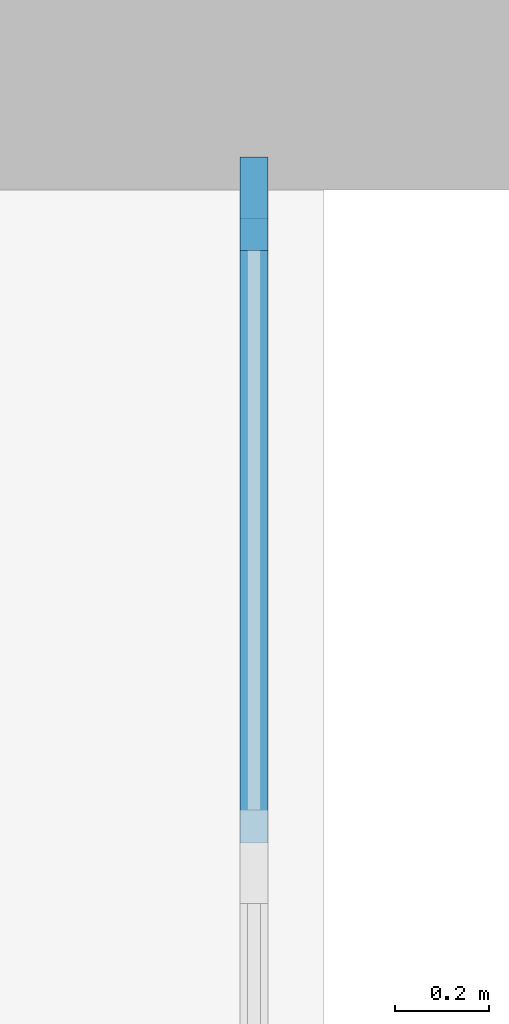
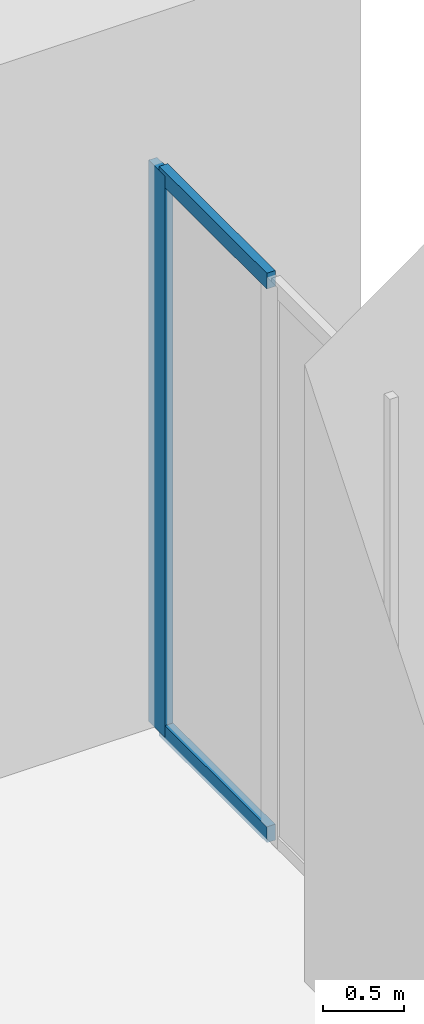
# One storey, part 8 of 43: 3 members, 1 element without a shape of its own.
"""IFC4 building model written with IfcOpenShell, lengths in metres."""

from ifc_helpers import new_model, si_unit, direction, frame, origin, origin_2d, place, context, subcontext, project, spatial, rectangle, extrude, material, material_profile, profile_set, type_object, element, aggregate, save


model = new_model("IFC4")

# Units and contexts
model_context = context("Model", 3, precision=1e-05, world=origin(), true_north=direction((0.0, 1.0)))
body_context = subcontext(model_context, "Body", "Model", "MODEL_VIEW")
ifc_project = project(units=[si_unit("LENGTHUNIT", "METRE"), si_unit("AREAUNIT", "SQUARE_METRE"), si_unit("VOLUMEUNIT", "CUBIC_METRE"), si_unit("PLANEANGLEUNIT", "RADIAN"), si_unit("MASSUNIT", "GRAM", prefix="KILO")], contexts=[model_context])

# Site, building, storey
site_placement = place(None, origin())
site = spatial("IfcSite", under=ifc_project, at=site_placement, CompositionType="ELEMENT")
building_placement = place(site_placement, origin())
building = spatial("IfcBuilding", under=site, at=building_placement, Name="Hunhe Ridgeline Campus", CompositionType="ELEMENT")
storey_placement = place(building_placement, frame((0.0, 0.0, 11.39990234375)))
storey = spatial("IfcBuildingStorey", under=building, at=storey_placement, Name="L02", CompositionType="ELEMENT", Elevation=11.39990234375)

# Curtain wall, members
ifc_material_1 = material(Name="Aluminium and glass", Category="aluminium")
curtain_wall_type = type_object("IfcCurtainWallType", Name="Podium curtain wall CW-2", PredefinedType="NOTDEFINED", material=ifc_material_1)
curtain_wall_placement = place(storey_placement, origin())
curtain_wall = element("IfcCurtainWall", 1, at=curtain_wall_placement, inside=storey, type_object=curtain_wall_type, Name="L02 podium curtain wall 8", PredefinedType="NOTDEFINED")
ifc_material_2 = material(Name="Aluminium", Category="aluminium")
ifc_material_profile_1 = material_profile(ifc_material_2, rectangle(XDim=0.06005859375, YDim=0.199951171875, at=origin_2d()))
ifc_profile_set_1 = profile_set([ifc_material_profile_1], Name="Aluminium")
member_type_1 = type_object("IfcMemberType", Name="CW-2 mullion 60x200", PredefinedType="MULLION", material=ifc_profile_set_1)
member_1_placement = place(storey_placement, frame((98.85009765625, 93.570068359375, 0.0), z_axis=(0.0, 0.0, 1.0), x_axis=(-1.0, 0.0, 0.0)))
member_1 = element("IfcMember", 2, at=member_1_placement, type_object=member_type_1, Name="CW2 mullion 3", PredefinedType="MULLION", context=body_context, shape_type="SweptSolid", body=[
    extrude(rectangle(XDim=0.06005859375, YDim=0.199951171875, at=origin_2d()), origin(), (0.0, 0.0, 1.0), 4.25),
])
ifc_material_profile_2 = material_profile(ifc_material_2, rectangle(XDim=0.06005859375, YDim=0.1201171875, at=origin_2d()))
ifc_profile_set_2 = profile_set([ifc_material_profile_2], Name="Aluminium")
member_type_2 = type_object("IfcMemberType", Name="CW-2 transom 60x120", PredefinedType="USERDEFINED", material=ifc_profile_set_2)
member_2_placement = place(storey_placement, frame((98.85009765625, 92.205078125, 0.030029296875), z_axis=(0.0, 1.0, 0.0), x_axis=(-1.0, 0.0, 0.0)))
member_2 = element("IfcMember", 3, at=member_2_placement, type_object=member_type_2, Name="CW2 transom 2.1", ObjectType="TRANSOM", PredefinedType="USERDEFINED", context=body_context, shape_type="SweptSolid", body=[
    extrude(rectangle(XDim=0.06005859375, YDim=0.1201171875, at=origin_2d()), origin(), (0.0, 0.0, 1.0), 1.3349609375),
])
member_3_placement = place(storey_placement, frame((98.85009765625, 92.205078125, 4.22021484375), z_axis=(0.0, 1.0, 0.0), x_axis=(-1.0, 0.0, 0.0)))
member_3 = element("IfcMember", 4, at=member_3_placement, type_object=member_type_2, Name="CW2 transom 2.2", ObjectType="TRANSOM", PredefinedType="USERDEFINED", context=body_context, shape_type="SweptSolid", body=[
    extrude(rectangle(XDim=0.06005859375, YDim=0.1201171875, at=origin_2d()), origin(), (0.0, 0.0, 1.0), 1.3349609375),
])
aggregate(curtain_wall, [member_1, member_2, member_3])

save(model, "model.ifc")
